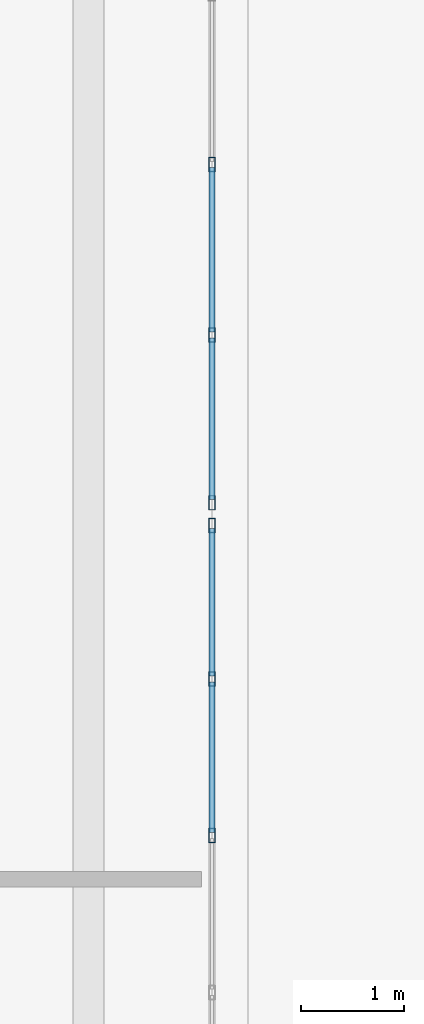
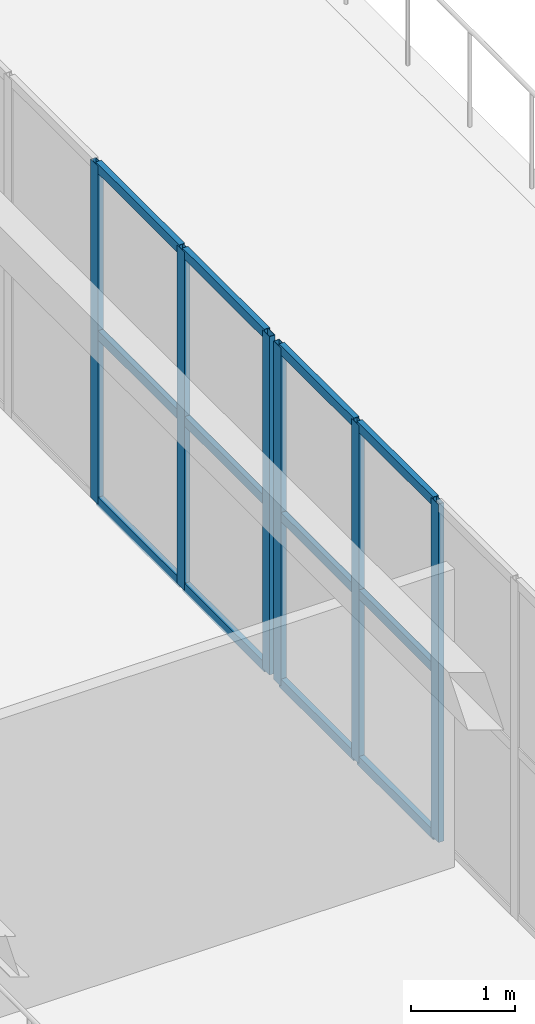
# One storey, part 48 of 90: 18 members, 2 elements without a shape of their own.
"""IFC4 building model written with IfcOpenShell, lengths in metres."""

import ifcopenshell
import ifcopenshell.guid

model = None  # the IFC model being written
_history = None  # IfcOwnerHistory: only IFC2X3 demands one
_inside = {}  # id of a spatial element -> (the spatial element, [elements in it])
_under = {}  # id of a project, library or spatial element -> (it, [spatial elements below it])
_declared = {}  # id of a project -> (the project, [libraries it declares])
_typed = {}  # id of a type object -> (the type object, [elements of that type])
_made_of = {}  # id of a material, layer set ... -> (it, [elements and type objects made of it])


def new_model(schema):
    """Start an empty IFC model of exactly this schema.

    Asked for "IFC4X3", IfcOpenShell would pick the latest addendum, in which some entities
    have other attributes; the version numbers below select the first issue.
    IFC2X3 requires an IfcOwnerHistory on every rooted entity: one is made here for all.
    """
    global model, _history
    if schema == "IFC4X3":
        model = ifcopenshell.file(schema_version=(4, 3, 0, 0))
    else:
        model = ifcopenshell.file(schema=schema)
    _inside.clear()
    _under.clear()
    _declared.clear()
    _typed.clear()
    _made_of.clear()
    _history = None
    if model.schema == "IFC2X3":
        org = make("IfcOrganization", Name="unknown")
        user = make(
            "IfcPersonAndOrganization",
            ThePerson=make("IfcPerson", FamilyName="unknown"),
            TheOrganization=org,
        )
        app = make(
            "IfcApplication",
            ApplicationDeveloper=org,
            Version="unknown",
            ApplicationFullName="unknown",
            ApplicationIdentifier="unknown",
        )
        _history = make(
            "IfcOwnerHistory",
            OwningUser=user,
            OwningApplication=app,
            ChangeAction="ADDED",
            CreationDate=0,
        )
    return model


def make(cls, **values):
    """One entity of the class cls with the attributes given. An attribute that is None is left unset."""
    return model.create_entity(
        cls, **{name: value for name, value in values.items() if value is not None}
    )


def rooted(cls, **values):
    """An entity with a GlobalId (a new one), such as an element, a storey or a relation."""
    return make(cls, GlobalId=ifcopenshell.guid.new(), OwnerHistory=_history, **values)


def si_unit(unit_type, name, prefix=None):
    """IfcSIUnit, for example si_unit("LENGTHUNIT", "METRE", prefix="MILLI")."""
    return make("IfcSIUnit", UnitType=unit_type, Prefix=prefix, Name=name)


def assignment(units):
    """IfcUnitAssignment: the units of a project."""
    return None if units is None else make("IfcUnitAssignment", Units=units)


def point(xyz):
    """IfcCartesianPoint."""
    return None if xyz is None else make("IfcCartesianPoint", Coordinates=xyz)


def direction(xyz):
    """IfcDirection."""
    return None if xyz is None else make("IfcDirection", DirectionRatios=xyz)


def frame(location, z_axis=None, x_axis=None):
    """IfcAxis2Placement3D, a coordinate frame: its origin and axes. An axis left out is left unset."""
    return make(
        "IfcAxis2Placement3D",
        Location=point(location),
        Axis=direction(z_axis),
        RefDirection=direction(x_axis),
    )


def frame_2d(location, x_axis=None):
    """IfcAxis2Placement2D, a coordinate frame in the plane: its origin and x axis."""
    return make(
        "IfcAxis2Placement2D", Location=point(location), RefDirection=direction(x_axis)
    )


def origin():
    """The frame at (0, 0, 0) with its axes left unset."""
    return frame((0.0, 0.0, 0.0))


def origin_2d():
    """The frame at (0, 0) in the plane with its x axis left unset."""
    return frame_2d((0.0, 0.0))


def place(relative_to, where):
    """IfcLocalPlacement: puts the frame where relative to a parent placement (None: the world)."""
    return make(
        "IfcLocalPlacement", PlacementRelTo=relative_to, RelativePlacement=where
    )


def context(
    kind, dimensions, precision=None, world=None, true_north=None, identifier=None
):
    """IfcGeometricRepresentationContext, for example the 3D "Model" context."""
    return make(
        "IfcGeometricRepresentationContext",
        ContextIdentifier=identifier,
        ContextType=kind,
        CoordinateSpaceDimension=dimensions,
        Precision=precision,
        WorldCoordinateSystem=world,
        TrueNorth=true_north,
    )


def subcontext(parent, identifier, kind, view, scale=None):
    """IfcGeometricRepresentationSubContext, for example "Body" below "Model"."""
    return make(
        "IfcGeometricRepresentationSubContext",
        ContextIdentifier=identifier,
        ContextType=kind,
        ParentContext=parent,
        TargetScale=scale,
        TargetView=view,
    )


def project(units=None, contexts=None):
    """IfcProject with its units and contexts."""
    return rooted(
        "IfcProject",
        Name="project",
        RepresentationContexts=contexts,
        UnitsInContext=assignment(units),
    )


def spatial(cls, under=None, at=None, **own):
    """A site, building, storey or space (cls), placed at a placement, below another one or the project."""
    s = rooted(cls, ObjectPlacement=at, **own)
    if under is not None:
        _under.setdefault(under.id(), (under, []))[1].append(s)
    return s


def profile(cls, at=None, kind="AREA", **sizes):
    """A parametric profile (cls). Its sizes go by their IFC names, for example OverallWidth=200.0."""
    return make(cls, ProfileType=kind, Position=at, **sizes)


def hollow_rectangle(**sizes):
    """IfcRectangleHollowProfileDef."""
    return profile("IfcRectangleHollowProfileDef", **sizes)


def extrude(swept, where, along, depth):
    """IfcExtrudedAreaSolid: the profile swept, set in the frame where, extruded along a direction by depth."""
    return make(
        "IfcExtrudedAreaSolid",
        SweptArea=swept,
        Position=where,
        ExtrudedDirection=direction(along),
        Depth=depth,
    )


def shape(context_of_items, identifier, shape_type, items):
    """IfcShapeRepresentation: the items that make up one representation, for example the "Body"."""
    return make(
        "IfcShapeRepresentation",
        ContextOfItems=context_of_items,
        RepresentationIdentifier=identifier,
        RepresentationType=shape_type,
        Items=items,
    )


def material(Name=None, Category=None):
    """IfcMaterial."""
    return make("IfcMaterial", Name=Name, Category=Category)


def layer(
    of_material, thickness, ventilated=None, Name=None, Category=None, Priority=None
):
    """IfcMaterialLayer: one layer of a wall or slab, of a material (None: an air gap)."""
    return make(
        "IfcMaterialLayer",
        Material=of_material,
        LayerThickness=thickness,
        IsVentilated=ventilated,
        Name=Name,
        Category=Category,
        Priority=Priority,
    )


def layer_set(layers, Name=None):
    """IfcMaterialLayerSet."""
    return make("IfcMaterialLayerSet", MaterialLayers=layers, LayerSetName=Name)


def material_profile(
    of_material, cross_section, Name=None, Category=None, Priority=None
):
    """IfcMaterialProfile: a cross section and its material."""
    return make(
        "IfcMaterialProfile",
        Name=Name,
        Material=of_material,
        Profile=cross_section,
        Priority=Priority,
        Category=Category,
    )


def profile_set(profiles, Name=None, composite=None):
    """IfcMaterialProfileSet."""
    return make(
        "IfcMaterialProfileSet",
        Name=Name,
        MaterialProfiles=profiles,
        CompositeProfile=composite,
    )


def made_of(thing, what):
    """Note that an element or type object is made of a material, layer set ...; save() writes the relation."""
    if what is not None:
        _made_of.setdefault(what.id(), (what, []))[1].append(thing)
    return thing


def type_object(cls, material=None, **own):
    """A type object (cls), such as IfcWallType, which elements share."""
    return made_of(rooted(cls, **own), material)


def element(
    cls,
    number,
    at=None,
    inside=None,
    cuts=None,
    type_object=None,
    material=None,
    context=None,
    identifier="Body",
    shape_type=None,
    held_by="IfcProductDefinitionShape",
    body=None,
    shapes=None,
    **own,
):
    """One element of the class cls, such as IfcWall. Its Tag is "e" and its number.

    at: its placement. inside: the storey or other place that contains it. cuts: it is an
    opening in that element (IfcRelVoidsElement). A single representation is given by context,
    identifier, shape_type and body (its items); several are given by shapes. held_by: the class
    of the entity that holds the representations. save() writes the other relations.
    """
    e = rooted(cls, Tag="e%d" % number, ObjectPlacement=at, **own)
    if body is not None:
        shapes = [shape(context, identifier, shape_type, body)]
    if shapes is not None:
        e.Representation = make(held_by, Representations=shapes)
    if inside is not None:
        _inside.setdefault(inside.id(), (inside, []))[1].append(e)
    if cuts is not None:
        rooted(
            "IfcRelVoidsElement", RelatingBuildingElement=cuts, RelatedOpeningElement=e
        )
    if type_object is not None:
        _typed.setdefault(type_object.id(), (type_object, []))[1].append(e)
    return made_of(e, material)


def aggregate(whole, parts):
    """IfcRelAggregates: a whole, such as a stair, and the parts it consists of."""
    return rooted("IfcRelAggregates", RelatingObject=whole, RelatedObjects=parts)


def save(model, path):
    """Write the relations noted so far, then the file.

    IfcRelAggregates (storeys below a building ...), IfcRelContainedInSpatialStructure (elements
    in a storey), IfcRelDefinesByType, IfcRelAssociatesMaterial and IfcRelDeclares: one each for
    every whole, place, type object, material and project.
    """
    for whole, parts in _under.values():
        aggregate(whole, parts)
    for where, things in _inside.values():
        rooted(
            "IfcRelContainedInSpatialStructure",
            RelatedElements=things,
            RelatingStructure=where,
        )
    for kind, things in _typed.values():
        rooted("IfcRelDefinesByType", RelatedObjects=things, RelatingType=kind)
    for what, things in _made_of.values():
        rooted("IfcRelAssociatesMaterial", RelatedObjects=things, RelatingMaterial=what)
    for by, libraries in _declared.values():
        rooted("IfcRelDeclares", RelatingContext=by, RelatedDefinitions=libraries)
    model.write(path)


model = new_model("IFC4")

# Units and contexts
model_context = context("Model", 3, precision=1e-05, world=origin(), true_north=direction((0.0, 1.0)))
body_context = subcontext(model_context, "Body", "Model", "MODEL_VIEW")
ifc_project = project(units=[si_unit("LENGTHUNIT", "METRE"), si_unit("AREAUNIT", "SQUARE_METRE"), si_unit("VOLUMEUNIT", "CUBIC_METRE"), si_unit("PLANEANGLEUNIT", "RADIAN"), si_unit("MASSUNIT", "GRAM", prefix="KILO")], contexts=[model_context])

# Site, building, storey
site_placement = place(None, origin())
site = spatial("IfcSite", under=ifc_project, at=site_placement, CompositionType="ELEMENT")
building_placement = place(site_placement, origin())
building = spatial("IfcBuilding", under=site, at=building_placement, Name="Trelvath General Hospital", CompositionType="ELEMENT")
storey_placement = place(building_placement, frame((0.0, 0.0, 20.39990234375)))
storey = spatial("IfcBuildingStorey", under=building, at=storey_placement, Name="L05", CompositionType="ELEMENT", Elevation=20.39990234375)

# Curtain wall, members
ifc_material_1 = material(Name="Anodised aluminium and low-E glass", Category="aluminium")
ifc_layer_1 = layer(ifc_material_1, 0.14990234375)
ifc_layer_set_1 = layer_set([ifc_layer_1], Name="Anodised aluminium and low-E glass")
curtain_wall_type_1 = type_object("IfcCurtainWallType", Name="CW CrystalCube 914 396 15", PredefinedType="USERDEFINED", material=ifc_layer_set_1)
curtain_wall_1_placement = place(storey_placement, origin())
curtain_wall_1 = element("IfcCurtainWall", 1, at=curtain_wall_1_placement, inside=storey, type_object=curtain_wall_type_1, Name="Crystal Cube Curtain Wall CUBE-E-T2 E4 L05", ObjectType="Unitised Glazed Curtain Wall", PredefinedType="USERDEFINED")
ifc_material_2 = material(Name="Anodised aluminium", Category="aluminium")
ifc_material_profile_1 = material_profile(ifc_material_2, hollow_rectangle(XDim=0.06005859375, YDim=0.139892578125, WallThickness=0.00390625, at=origin_2d()), Name="RHS60x140x4")
ifc_profile_set_1 = profile_set([ifc_material_profile_1], Name="Anodised aluminium")
member_type_1 = type_object("IfcMemberType", Name="CurtainMullion 60x140", PredefinedType="MULLION", material=ifc_profile_set_1)
member_1_placement = place(storey_placement, frame((108.39990234375, 67.090087890625, 0.0), z_axis=(0.0, 0.0, 1.0), x_axis=(1.0, 0.0, 0.0)))
member_1 = element("IfcMember", 2, at=member_1_placement, type_object=member_type_1, Name="CW-321 mullion 1", PredefinedType="MULLION", context=body_context, shape_type="SweptSolid", body=[
    extrude(hollow_rectangle(XDim=0.06005859375, YDim=0.139892578125, WallThickness=0.00390625, at=origin_2d()), origin(), (0.0, 0.0, 1.0), 3.960205078125),
])
member_2_placement = place(storey_placement, frame((108.39990234375, 65.5966796875, 0.0), z_axis=(0.0, 0.0, 1.0), x_axis=(1.0, 0.0, 0.0)))
member_2 = element("IfcMember", 3, at=member_2_placement, type_object=member_type_1, Name="CW-321 mullion 2", PredefinedType="MULLION", context=body_context, shape_type="SweptSolid", body=[
    extrude(hollow_rectangle(XDim=0.06005859375, YDim=0.139892578125, WallThickness=0.00390625, at=origin_2d()), origin(), (0.0, 0.0, 1.0), 3.960205078125),
])
member_3_placement = place(storey_placement, frame((108.39990234375, 64.0732421875, 0.0), z_axis=(0.0, 0.0, 1.0), x_axis=(1.0, 0.0, 0.0)))
member_3 = element("IfcMember", 4, at=member_3_placement, type_object=member_type_1, Name="CW-321 mullion 3", PredefinedType="MULLION", context=body_context, shape_type="SweptSolid", body=[
    extrude(hollow_rectangle(XDim=0.06005859375, YDim=0.139892578125, WallThickness=0.00390625, at=origin_2d()), origin(), (0.0, 0.0, 1.0), 3.960205078125),
])

ifc_material_3 = material(Name="Anodised aluminium and low-E glass", Category="aluminium")
ifc_layer_2 = layer(ifc_material_3, 0.14990234375)
ifc_layer_set_2 = layer_set([ifc_layer_2], Name="Anodised aluminium and low-E glass")
curtain_wall_type_2 = type_object("IfcCurtainWallType", Name="CW CrystalCube 664 396 15", PredefinedType="USERDEFINED", material=ifc_layer_set_2)
curtain_wall_2_placement = place(storey_placement, origin())
curtain_wall_2 = element("IfcCurtainWall", 5, at=curtain_wall_2_placement, inside=storey, type_object=curtain_wall_type_2, Name="Crystal Cube Curtain Wall CUBE-E-T2 E5 L05", ObjectType="Unitised Glazed Curtain Wall", PredefinedType="USERDEFINED")
member_4_placement = place(storey_placement, frame((108.39990234375, 70.60009765625, 0.0), z_axis=(0.0, 0.0, 1.0), x_axis=(1.0, 0.0, 0.0)))
member_4 = element("IfcMember", 6, at=member_4_placement, type_object=member_type_1, Name="CW-322 mullion 3", PredefinedType="MULLION", context=body_context, shape_type="SweptSolid", body=[
    extrude(hollow_rectangle(XDim=0.06005859375, YDim=0.139892578125, WallThickness=0.00390625, at=origin_2d()), origin(), (0.0, 0.0, 1.0), 3.960205078125),
])
member_5_placement = place(storey_placement, frame((108.39990234375, 68.93994140625, 0.0), z_axis=(0.0, 0.0, 1.0), x_axis=(1.0, 0.0, 0.0)))
member_5 = element("IfcMember", 7, at=member_5_placement, type_object=member_type_1, Name="CW-322 mullion 4", PredefinedType="MULLION", context=body_context, shape_type="SweptSolid", body=[
    extrude(hollow_rectangle(XDim=0.06005859375, YDim=0.139892578125, WallThickness=0.00390625, at=origin_2d()), origin(), (0.0, 0.0, 1.0), 3.960205078125),
])
member_6_placement = place(storey_placement, frame((108.39990234375, 67.31005859375, 0.0), z_axis=(0.0, 0.0, 1.0), x_axis=(1.0, 0.0, 0.0)))
member_6 = element("IfcMember", 8, at=member_6_placement, type_object=member_type_1, Name="CW-322 mullion 5", PredefinedType="MULLION", context=body_context, shape_type="SweptSolid", body=[
    extrude(hollow_rectangle(XDim=0.06005859375, YDim=0.139892578125, WallThickness=0.00390625, at=origin_2d()), origin(), (0.0, 0.0, 1.0), 3.960205078125),
])

# Member
ifc_material_4 = material(Name="Anodised aluminium", Category="aluminium")
ifc_material_profile_2 = material_profile(ifc_material_4, hollow_rectangle(XDim=0.06005859375, YDim=0.110107421875, WallThickness=0.00390625, at=origin_2d()), Name="RHS60x110x4")
ifc_profile_set_2 = profile_set([ifc_material_profile_2], Name="Anodised aluminium")
member_type_2 = type_object("IfcMemberType", Name="CurtainTransom 60x110", PredefinedType="USERDEFINED", material=ifc_profile_set_2)
member_7_placement = place(storey_placement, frame((108.39990234375, 67.06005859375, 0.030029296875), z_axis=(0.0, -1.0, 0.0), x_axis=(1.0, 0.0, 0.0)))
member_7 = element("IfcMember", 9, at=member_7_placement, type_object=member_type_2, Name="CW-321 transom 1.1", ObjectType="TRANSOM", PredefinedType="USERDEFINED", context=body_context, shape_type="SweptSolid", body=[
    extrude(hollow_rectangle(XDim=0.06005859375, YDim=0.110107421875, WallThickness=0.00390625, at=origin_2d()), origin(), (0.0, 0.0, 1.0), 1.433349609375),
])

member_8_placement = place(storey_placement, frame((108.39990234375, 67.06005859375, 1.97998046875), z_axis=(0.0, -1.0, 0.0), x_axis=(1.0, 0.0, 0.0)))
member_8 = element("IfcMember", 10, at=member_8_placement, type_object=member_type_2, Name="CW-321 transom 1.2", ObjectType="TRANSOM", PredefinedType="USERDEFINED", context=body_context, shape_type="SweptSolid", body=[
    extrude(hollow_rectangle(XDim=0.06005859375, YDim=0.110107421875, WallThickness=0.00390625, at=origin_2d()), origin(), (0.0, 0.0, 1.0), 1.433349609375),
])

member_9_placement = place(storey_placement, frame((108.39990234375, 67.06005859375, 3.93017578125), z_axis=(0.0, -1.0, 0.0), x_axis=(1.0, 0.0, 0.0)))
member_9 = element("IfcMember", 11, at=member_9_placement, type_object=member_type_2, Name="CW-321 transom 1.3", ObjectType="TRANSOM", PredefinedType="USERDEFINED", context=body_context, shape_type="SweptSolid", body=[
    extrude(hollow_rectangle(XDim=0.06005859375, YDim=0.110107421875, WallThickness=0.00390625, at=origin_2d()), origin(), (0.0, 0.0, 1.0), 1.433349609375),
])

member_10_placement = place(storey_placement, frame((108.39990234375, 65.566650390625, 0.030029296875), z_axis=(0.0, -1.0, 0.0), x_axis=(1.0, 0.0, 0.0)))
member_10 = element("IfcMember", 12, at=member_10_placement, type_object=member_type_2, Name="CW-321 transom 2.1", ObjectType="TRANSOM", PredefinedType="USERDEFINED", context=body_context, shape_type="SweptSolid", body=[
    extrude(hollow_rectangle(XDim=0.06005859375, YDim=0.110107421875, WallThickness=0.00390625, at=origin_2d()), origin(), (0.0, 0.0, 1.0), 1.46337890625),
])

member_11_placement = place(storey_placement, frame((108.39990234375, 65.566650390625, 1.97998046875), z_axis=(0.0, -1.0, 0.0), x_axis=(1.0, 0.0, 0.0)))
member_11 = element("IfcMember", 13, at=member_11_placement, type_object=member_type_2, Name="CW-321 transom 2.2", ObjectType="TRANSOM", PredefinedType="USERDEFINED", context=body_context, shape_type="SweptSolid", body=[
    extrude(hollow_rectangle(XDim=0.06005859375, YDim=0.110107421875, WallThickness=0.00390625, at=origin_2d()), origin(), (0.0, 0.0, 1.0), 1.46337890625),
])

member_12_placement = place(storey_placement, frame((108.39990234375, 65.566650390625, 3.93017578125), z_axis=(0.0, -1.0, 0.0), x_axis=(1.0, 0.0, 0.0)))
member_12 = element("IfcMember", 14, at=member_12_placement, type_object=member_type_2, Name="CW-321 transom 2.3", ObjectType="TRANSOM", PredefinedType="USERDEFINED", context=body_context, shape_type="SweptSolid", body=[
    extrude(hollow_rectangle(XDim=0.06005859375, YDim=0.110107421875, WallThickness=0.00390625, at=origin_2d()), origin(), (0.0, 0.0, 1.0), 1.46337890625),
])

aggregate(curtain_wall_1, [member_1, member_2, member_3, member_7, member_8, member_9, member_10, member_11, member_12])

member_13_placement = place(storey_placement, frame((108.39990234375, 70.570068359375, 0.030029296875), z_axis=(0.0, -1.0, 0.0), x_axis=(1.0, 0.0, 0.0)))
member_13 = element("IfcMember", 15, at=member_13_placement, type_object=member_type_2, Name="CW-322 transom 3.1", ObjectType="TRANSOM", PredefinedType="USERDEFINED", context=body_context, shape_type="SweptSolid", body=[
    extrude(hollow_rectangle(XDim=0.06005859375, YDim=0.110107421875, WallThickness=0.00390625, at=origin_2d()), origin(), (0.0, 0.0, 1.0), 1.60009765625),
])

member_14_placement = place(storey_placement, frame((108.39990234375, 70.570068359375, 1.97998046875), z_axis=(0.0, -1.0, 0.0), x_axis=(1.0, 0.0, 0.0)))
member_14 = element("IfcMember", 16, at=member_14_placement, type_object=member_type_2, Name="CW-322 transom 3.2", ObjectType="TRANSOM", PredefinedType="USERDEFINED", context=body_context, shape_type="SweptSolid", body=[
    extrude(hollow_rectangle(XDim=0.06005859375, YDim=0.110107421875, WallThickness=0.00390625, at=origin_2d()), origin(), (0.0, 0.0, 1.0), 1.60009765625),
])

member_15_placement = place(storey_placement, frame((108.39990234375, 70.570068359375, 3.93017578125), z_axis=(0.0, -1.0, 0.0), x_axis=(1.0, 0.0, 0.0)))
member_15 = element("IfcMember", 17, at=member_15_placement, type_object=member_type_2, Name="CW-322 transom 3.3", ObjectType="TRANSOM", PredefinedType="USERDEFINED", context=body_context, shape_type="SweptSolid", body=[
    extrude(hollow_rectangle(XDim=0.06005859375, YDim=0.110107421875, WallThickness=0.00390625, at=origin_2d()), origin(), (0.0, 0.0, 1.0), 1.60009765625),
])

member_16_placement = place(storey_placement, frame((108.39990234375, 68.909912109375, 0.030029296875), z_axis=(0.0, -1.0, 0.0), x_axis=(1.0, 0.0, 0.0)))
member_16 = element("IfcMember", 18, at=member_16_placement, type_object=member_type_2, Name="CW-322 transom 4.1", ObjectType="TRANSOM", PredefinedType="USERDEFINED", context=body_context, shape_type="SweptSolid", body=[
    extrude(hollow_rectangle(XDim=0.06005859375, YDim=0.110107421875, WallThickness=0.00390625, at=origin_2d()), origin(), (0.0, 0.0, 1.0), 1.56982421875),
])

member_17_placement = place(storey_placement, frame((108.39990234375, 68.909912109375, 1.97998046875), z_axis=(0.0, -1.0, 0.0), x_axis=(1.0, 0.0, 0.0)))
member_17 = element("IfcMember", 19, at=member_17_placement, type_object=member_type_2, Name="CW-322 transom 4.2", ObjectType="TRANSOM", PredefinedType="USERDEFINED", context=body_context, shape_type="SweptSolid", body=[
    extrude(hollow_rectangle(XDim=0.06005859375, YDim=0.110107421875, WallThickness=0.00390625, at=origin_2d()), origin(), (0.0, 0.0, 1.0), 1.56982421875),
])

member_18_placement = place(storey_placement, frame((108.39990234375, 68.909912109375, 3.93017578125), z_axis=(0.0, -1.0, 0.0), x_axis=(1.0, 0.0, 0.0)))
member_18 = element("IfcMember", 20, at=member_18_placement, type_object=member_type_2, Name="CW-322 transom 4.3", ObjectType="TRANSOM", PredefinedType="USERDEFINED", context=body_context, shape_type="SweptSolid", body=[
    extrude(hollow_rectangle(XDim=0.06005859375, YDim=0.110107421875, WallThickness=0.00390625, at=origin_2d()), origin(), (0.0, 0.0, 1.0), 1.56982421875),
])

aggregate(curtain_wall_2, [member_4, member_5, member_6, member_13, member_14, member_15, member_16, member_17, member_18])

save(model, "model.ifc")
